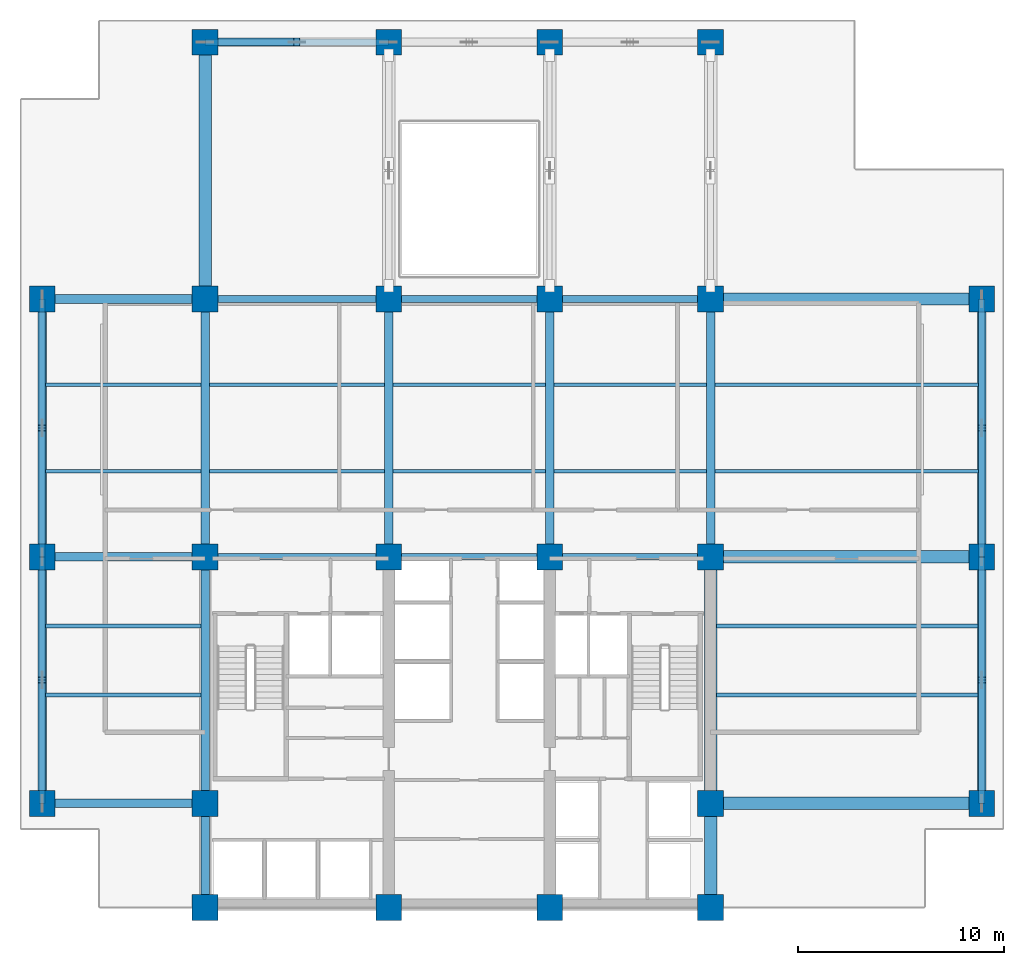
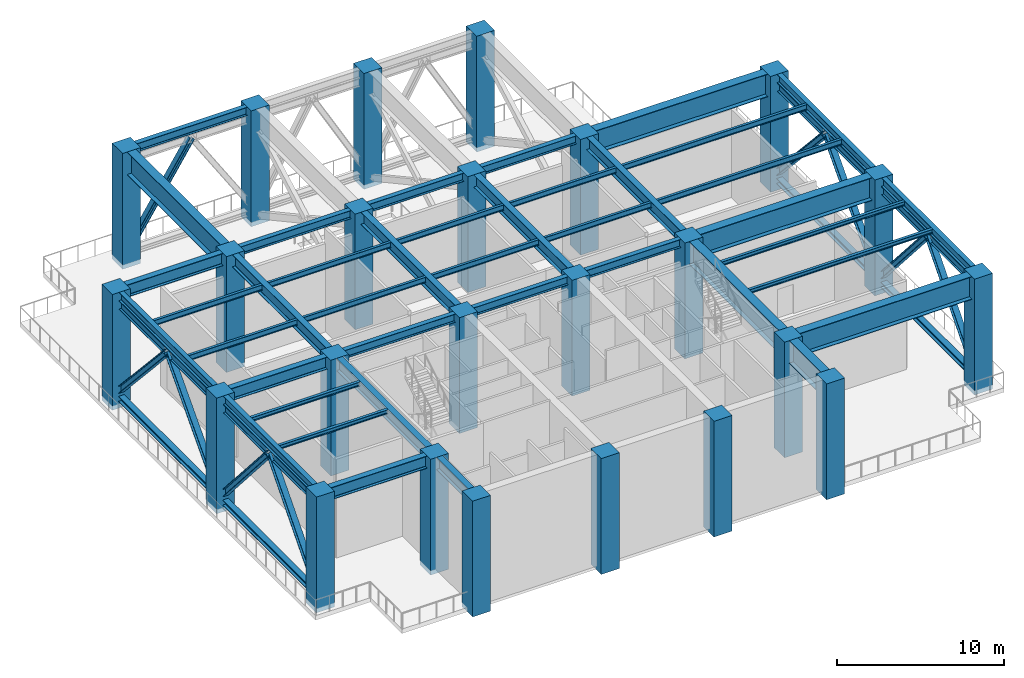
# One storey, part 1 of 7: 40 beams, 24 columns, 17 members.
"""IFC4 building model written with IfcOpenShell, lengths in metres."""

from ifc_helpers import new_model, si_unit, direction, frame, origin, origin_2d, place, context, subcontext, project, spatial, rectangle, i_section, extrude, material, material_profile, profile_set, type_object, element, save


model = new_model("IFC4")

# Units and contexts
model_context = context("Model", 3, precision=1e-05, world=origin(), true_north=direction((0.0, 1.0)))
body_context = subcontext(model_context, "Body", "Model", "MODEL_VIEW")
ifc_project = project(units=[si_unit("LENGTHUNIT", "METRE"), si_unit("AREAUNIT", "SQUARE_METRE"), si_unit("VOLUMEUNIT", "CUBIC_METRE"), si_unit("PLANEANGLEUNIT", "RADIAN"), si_unit("MASSUNIT", "GRAM", prefix="KILO")], contexts=[model_context])

# Site, building, storey
site_placement = place(None, origin())
site = spatial("IfcSite", under=ifc_project, at=site_placement, CompositionType="ELEMENT")
building_placement = place(site_placement, origin())
building = spatial("IfcBuilding", under=site, at=building_placement, Name="Qalmaran Belvedere Hotel", CompositionType="ELEMENT")
storey_placement = place(building_placement, frame((0.0, 0.0, 130.199951171875)))
storey = spatial("IfcBuildingStorey", under=building, at=storey_placement, Name="L33", CompositionType="ELEMENT", Elevation=130.199951171875)

# Columns
ifc_material_1 = material(Name="Concrete C60/75", Category="concrete")
ifc_material_profile_1 = material_profile(ifc_material_1, rectangle(XDim=1.25, YDim=1.25, at=origin_2d()), Name="CC1250X1250")
ifc_profile_set_1 = profile_set([ifc_material_profile_1], Name="Concrete C60/75")
column_type = type_object("IfcColumnType", Name="COL-Z2-CC1250", PredefinedType="COLUMN", material=ifc_profile_set_1)
for number, where, z_axis, x_axis, name in (
    (1, (20.300048828125, 3.5, -0.320068359375), (0.0, 0.0, 1.0), (1.0, 0.0, 0.0), "L33 Column C4B"),
    (2, (29.199951171875, 3.5, -0.320068359375), (0.0, 0.0, 1.0), (1.0, 0.0, 0.0), "L33 Column C5B"),
    (3, (37.0, 3.5, -0.320068359375), (0.0, 0.0, 1.0), (1.0, 0.0, 0.0), "L33 Column C6B"),
    (4, (44.800048828125, 3.5, -0.320068359375), (0.0, 0.0, 1.0), (1.0, 0.0, 0.0), "L33 Column C7B"),
    (5, (20.300048828125, 8.550048828125, -0.320068359375), (0.0, 0.0, 1.0), (1.0, 0.0, 0.0), "L33 Column C4C"),
    (6, (44.800048828125, 8.550048828125, -0.320068359375), (0.0, 0.0, 1.0), (1.0, 0.0, 0.0), "L33 Column C7C"),
    (7, (20.300048828125, 20.5, -0.320068359375), (0.0, 0.0, 1.0), (1.0, 0.0, 0.0), "L33 Column C4D"),
    (8, (29.199951171875, 20.5, -0.320068359375), (0.0, 0.0, 1.0), (1.0, 0.0, 0.0), "L33 Column C5D"),
    (9, (37.0, 20.5, -0.320068359375), (0.0, 0.0, 1.0), (1.0, 0.0, 0.0), "L33 Column C6D"),
    (10, (44.800048828125, 20.5, -0.320068359375), (0.0, 0.0, 1.0), (1.0, 0.0, 0.0), "L33 Column C7D"),
    (11, (20.300048828125, 33.0, -0.320068359375), (0.0, 0.0, 1.0), (1.0, 0.0, 0.0), "L33 Column C4F"),
    (12, (29.199951171875, 33.0, -0.320068359375), (0.0, 0.0, 1.0), (1.0, 0.0, 0.0), "L33 Column C5F"),
    (13, (37.0, 33.0, -0.320068359375), (0.0, 0.0, 1.0), (1.0, 0.0, 0.0), "L33 Column C6F"),
    (14, (44.800048828125, 33.0, -0.320068359375), (0.0, 0.0, 1.0), (1.0, 0.0, 0.0), "L33 Column C7F"),
    (15, (12.39990234375, 8.550048828125, -0.320068359375), (0.0, 0.0, 1.0), (1.0, 0.0, 0.0), "L33 Column CW1"),
    (16, (12.39990234375, 20.5, -0.320068359375), (0.0, 0.0, 1.0), (1.0, 0.0, 0.0), "L33 Column CW3"),
    (17, (12.39990234375, 33.0, -0.320068359375), (0.0, 0.0, 1.0), (1.0, 0.0, 0.0), "L33 Column CW4"),
    (18, (57.949951171875, 8.550048828125, -0.320068359375), (0.0, 0.0, 1.0), (1.0, 0.0, 0.0), "L33 Column CE1"),
    (19, (57.949951171875, 20.5, -0.320068359375), (0.0, 0.0, 1.0), (1.0, 0.0, 0.0), "L33 Column CE3"),
    (20, (57.949951171875, 33.0, -0.320068359375), (0.0, 0.0, 1.0), (1.0, 0.0, 0.0), "L33 Column CE4"),
    (21, (20.300048828125, 45.449951171875, -0.320068359375), (0.0, 0.0, 1.0), (1.0, 0.0, 0.0), "L33 Column CN1"),
    (22, (29.199951171875, 45.449951171875, -0.320068359375), (0.0, 0.0, 1.0), (1.0, 0.0, 0.0), "L33 Column CN2"),
    (23, (37.0, 45.449951171875, -0.320068359375), (0.0, 0.0, 1.0), (1.0, 0.0, 0.0), "L33 Column CN3"),
    (24, (44.800048828125, 45.449951171875, -0.320068359375), (0.0, 0.0, 1.0), (1.0, 0.0, 0.0), "L33 Column CN4"),
):
    element("IfcColumn", number, at=place(storey_placement, frame(where, z_axis=z_axis, x_axis=x_axis)), inside=storey, type_object=column_type, Name=name, PredefinedType="COLUMN", context=body_context, shape_type="SweptSolid", body=[
        extrude(rectangle(XDim=1.25, YDim=1.25, at=origin_2d()), origin(), (0.0, 0.0, 1.0), 8.47021484375),
    ])

# Beams
ifc_material_2 = material(Name="Steel S355JR", Category="steel")
ifc_material_profile_2 = material_profile(ifc_material_2, i_section(OverallWidth=0.202880859375, OverallDepth=0.302978515625, WebThickness=0.007568359375, FlangeThickness=0.01318359375, FilletRadius=0.012939453125, at=origin_2d()), Name="W310X60")
ifc_profile_set_2 = profile_set([ifc_material_profile_2], Name="Steel S355JR")
beam_type_1 = type_object("IfcBeamType", Name="BM-JST-W310X60", PredefinedType="JOIST", material=ifc_profile_set_2)
beam_1_placement = place(storey_placement, frame((12.5615234375, 13.800048828125, 7.99853515625), z_axis=(1.0, 0.0, 0.0), x_axis=(0.0, 1.0, 0.0)))
element("IfcBeam", 25, at=beam_1_placement, inside=storey, type_object=beam_type_1, Name="L33 West Wing Joist 038", PredefinedType="JOIST", context=body_context, shape_type="SweptSolid", body=[
    extrude(i_section(OverallWidth=0.202880859375, OverallDepth=0.302978515625, WebThickness=0.007568359375, FlangeThickness=0.01318359375, FilletRadius=0.012939453125, at=origin_2d()), origin(), (0.0, 0.0, 1.0), 7.531494140625),
])
beam_2_placement = place(storey_placement, frame((45.097900390625, 13.800048828125, 7.99853515625), z_axis=(1.0, 0.0, 0.0), x_axis=(0.0, 1.0, 0.0)))
element("IfcBeam", 26, at=beam_2_placement, inside=storey, type_object=beam_type_1, Name="L33 East Wing Joist 039", PredefinedType="JOIST", context=body_context, shape_type="SweptSolid", body=[
    extrude(i_section(OverallWidth=0.202880859375, OverallDepth=0.302978515625, WebThickness=0.007568359375, FlangeThickness=0.01318359375, FilletRadius=0.012939453125, at=origin_2d()), origin(), (0.0, 0.0, 1.0), 12.690673828125),
])
beam_3_placement = place(storey_placement, frame((12.5615234375, 17.14990234375, 7.99853515625), z_axis=(1.0, 0.0, 0.0), x_axis=(0.0, 1.0, 0.0)))
element("IfcBeam", 27, at=beam_3_placement, inside=storey, type_object=beam_type_1, Name="L33 West Wing Joist 040", PredefinedType="JOIST", context=body_context, shape_type="SweptSolid", body=[
    extrude(i_section(OverallWidth=0.202880859375, OverallDepth=0.302978515625, WebThickness=0.007568359375, FlangeThickness=0.01318359375, FilletRadius=0.012939453125, at=origin_2d()), origin(), (0.0, 0.0, 1.0), 7.531494140625),
])
beam_4_placement = place(storey_placement, frame((45.097900390625, 17.14990234375, 7.99853515625), z_axis=(1.0, 0.0, 0.0), x_axis=(0.0, 1.0, 0.0)))
element("IfcBeam", 28, at=beam_4_placement, inside=storey, type_object=beam_type_1, Name="L33 East Wing Joist 041", PredefinedType="JOIST", context=body_context, shape_type="SweptSolid", body=[
    extrude(i_section(OverallWidth=0.202880859375, OverallDepth=0.302978515625, WebThickness=0.007568359375, FlangeThickness=0.01318359375, FilletRadius=0.012939453125, at=origin_2d()), origin(), (0.0, 0.0, 1.0), 12.690673828125),
])
ifc_material_profile_3 = material_profile(ifc_material_2, i_section(OverallWidth=0.41796875, OverallDepth=0.912109375, WebThickness=0.019287109375, FlangeThickness=0.031982421875, FilletRadius=0.02392578125, at=origin_2d()), Name="W920X342")
ifc_profile_set_3 = profile_set([ifc_material_profile_3], Name="Steel S355JR")
beam_type_2 = type_object("IfcBeamType", Name="BM-PG2-W920X342", PredefinedType="USERDEFINED", material=ifc_profile_set_3)
for number, where, z_axis, x_axis, name in (
    (29, (20.300048828125, 20.5, 7.694091796875), (0.0, 1.0, 0.0), (-1.0, 0.0, 0.0), "L33 Mid-Plate N-S Girder 14"),
    (30, (29.199951171875, 20.5, 7.694091796875), (0.0, 1.0, 0.0), (-1.0, 0.0, 0.0), "L33 Mid-Plate N-S Girder 16"),
    (31, (37.0, 20.5, 7.694091796875), (0.0, 1.0, 0.0), (-1.0, 0.0, 0.0), "L33 Mid-Plate N-S Girder 18"),
    (32, (44.800048828125, 20.5, 7.694091796875), (0.0, 1.0, 0.0), (-1.0, 0.0, 0.0), "L33 Mid-Plate N-S Girder 20"),
):
    element("IfcBeam", number, at=place(storey_placement, frame(where, z_axis=z_axis, x_axis=x_axis)), inside=storey, type_object=beam_type_2, Name=name, ObjectType="GIRDER", PredefinedType="USERDEFINED", context=body_context, shape_type="SweptSolid", body=[
        extrude(i_section(OverallWidth=0.41796875, OverallDepth=0.912109375, WebThickness=0.019287109375, FlangeThickness=0.031982421875, FilletRadius=0.02392578125, at=origin_2d()), origin(), (0.0, 0.0, 1.0), 12.5),
    ])
for number, where, z_axis, x_axis, name in (
    (33, (12.39990234375, 8.550048828125, 7.694091796875), (1.0, 0.0, 0.0), (0.0, 1.0, 0.0), "L33 West Wing Girder 22"),
    (34, (12.39990234375, 20.5, 7.694091796875), (1.0, 0.0, 0.0), (0.0, 1.0, 0.0), "L33 West Wing Girder 23"),
    (35, (12.39990234375, 33.0, 7.694091796875), (1.0, 0.0, 0.0), (0.0, 1.0, 0.0), "L33 West Wing Girder 24"),
):
    element("IfcBeam", number, at=place(storey_placement, frame(where, z_axis=z_axis, x_axis=x_axis)), inside=storey, type_object=beam_type_2, Name=name, ObjectType="GIRDER", PredefinedType="USERDEFINED", context=body_context, shape_type="SweptSolid", body=[
        extrude(i_section(OverallWidth=0.41796875, OverallDepth=0.912109375, WebThickness=0.019287109375, FlangeThickness=0.031982421875, FilletRadius=0.02392578125, at=origin_2d()), origin(), (0.0, 0.0, 1.0), 7.900146484375),
    ])
beam_5_placement = place(storey_placement, frame((20.300048828125, 3.5, 7.694091796875), z_axis=(0.0, 1.0, 0.0), x_axis=(-1.0, 0.0, 0.0)))
element("IfcBeam", 36, at=beam_5_placement, inside=storey, type_object=beam_type_2, Name="L33 West Core Edge Girder A", ObjectType="GIRDER", PredefinedType="USERDEFINED", context=body_context, shape_type="SweptSolid", body=[
    extrude(i_section(OverallWidth=0.41796875, OverallDepth=0.912109375, WebThickness=0.019287109375, FlangeThickness=0.031982421875, FilletRadius=0.02392578125, at=origin_2d()), origin(), (0.0, 0.0, 1.0), 5.050048828125),
])
beam_6_placement = place(storey_placement, frame((20.300048828125, 8.550048828125, 7.694091796875), z_axis=(0.0, 1.0, 0.0), x_axis=(-1.0, 0.0, 0.0)))
element("IfcBeam", 37, at=beam_6_placement, inside=storey, type_object=beam_type_2, Name="L33 West Core Edge Girder B", ObjectType="GIRDER", PredefinedType="USERDEFINED", context=body_context, shape_type="SweptSolid", body=[
    extrude(i_section(OverallWidth=0.41796875, OverallDepth=0.912109375, WebThickness=0.019287109375, FlangeThickness=0.031982421875, FilletRadius=0.02392578125, at=origin_2d()), origin(), (0.0, 0.0, 1.0), 11.949951171875),
])
ifc_material_profile_4 = material_profile(ifc_material_2, i_section(OverallWidth=0.177978515625, OverallDepth=0.406982421875, WebThickness=0.0078125, FlangeThickness=0.0126953125, FilletRadius=0.014892578125, at=origin_2d()), Name="W410X60")
ifc_profile_set_4 = profile_set([ifc_material_profile_4], Name="Steel S355JR")
beam_type_3 = type_object("IfcBeamType", Name="BM-SB2-W410X60", PredefinedType="BEAM", material=ifc_profile_set_4)
beam_7_placement = place(storey_placement, frame((12.5615234375, 24.64990234375, 7.946533203125), z_axis=(1.0, 0.0, 0.0), x_axis=(0.0, 1.0, 0.0)))
element("IfcBeam", 38, at=beam_7_placement, inside=storey, type_object=beam_type_3, Name="L33 West Secondary Beam 028", PredefinedType="BEAM", context=body_context, shape_type="SweptSolid", body=[
    extrude(i_section(OverallWidth=0.177978515625, OverallDepth=0.406982421875, WebThickness=0.0078125, FlangeThickness=0.0126953125, FilletRadius=0.014892578125, at=origin_2d()), origin(), (0.0, 0.0, 1.0), 7.531494140625),
])
beam_8_placement = place(storey_placement, frame((20.507080078125, 24.64990234375, 7.946533203125), z_axis=(1.0, 0.0, 0.0), x_axis=(0.0, 1.0, 0.0)))
element("IfcBeam", 39, at=beam_8_placement, inside=storey, type_object=beam_type_3, Name="L33 Secondary Floor Beam 029", PredefinedType="BEAM", context=body_context, shape_type="SweptSolid", body=[
    extrude(i_section(OverallWidth=0.177978515625, OverallDepth=0.406982421875, WebThickness=0.0078125, FlangeThickness=0.0126953125, FilletRadius=0.014892578125, at=origin_2d()), origin(), (0.0, 0.0, 1.0), 8.48583984375),
])
for number, where, z_axis, x_axis, name in (
    (40, (29.406982421875, 24.64990234375, 7.946533203125), (1.0, 0.0, 0.0), (0.0, 1.0, 0.0), "L33 Secondary Floor Beam 030"),
    (41, (37.20703125, 24.64990234375, 7.946533203125), (1.0, 0.0, 0.0), (0.0, 1.0, 0.0), "L33 Secondary Floor Beam 031"),
):
    element("IfcBeam", number, at=place(storey_placement, frame(where, z_axis=z_axis, x_axis=x_axis)), inside=storey, type_object=beam_type_3, Name=name, PredefinedType="BEAM", context=body_context, shape_type="SweptSolid", body=[
        extrude(i_section(OverallWidth=0.177978515625, OverallDepth=0.406982421875, WebThickness=0.0078125, FlangeThickness=0.0126953125, FilletRadius=0.014892578125, at=origin_2d()), origin(), (0.0, 0.0, 1.0), 7.385986328125),
    ])
beam_9_placement = place(storey_placement, frame((45.007080078125, 24.64990234375, 7.946533203125), z_axis=(1.0, 0.0, 0.0), x_axis=(0.0, 1.0, 0.0)))
element("IfcBeam", 42, at=beam_9_placement, inside=storey, type_object=beam_type_3, Name="L33 East Secondary Beam 032", PredefinedType="BEAM", context=body_context, shape_type="SweptSolid", body=[
    extrude(i_section(OverallWidth=0.177978515625, OverallDepth=0.406982421875, WebThickness=0.0078125, FlangeThickness=0.0126953125, FilletRadius=0.014892578125, at=origin_2d()), origin(), (0.0, 0.0, 1.0), 12.781494140625),
])
beam_10_placement = place(storey_placement, frame((12.5615234375, 28.85009765625, 7.946533203125), z_axis=(1.0, 0.0, 0.0), x_axis=(0.0, 1.0, 0.0)))
element("IfcBeam", 43, at=beam_10_placement, inside=storey, type_object=beam_type_3, Name="L33 West Secondary Beam 033", PredefinedType="BEAM", context=body_context, shape_type="SweptSolid", body=[
    extrude(i_section(OverallWidth=0.177978515625, OverallDepth=0.406982421875, WebThickness=0.0078125, FlangeThickness=0.0126953125, FilletRadius=0.014892578125, at=origin_2d()), origin(), (0.0, 0.0, 1.0), 7.531494140625),
])
beam_11_placement = place(storey_placement, frame((20.507080078125, 28.85009765625, 7.946533203125), z_axis=(1.0, 0.0, 0.0), x_axis=(0.0, 1.0, 0.0)))
element("IfcBeam", 44, at=beam_11_placement, inside=storey, type_object=beam_type_3, Name="L33 Secondary Floor Beam 034", PredefinedType="BEAM", context=body_context, shape_type="SweptSolid", body=[
    extrude(i_section(OverallWidth=0.177978515625, OverallDepth=0.406982421875, WebThickness=0.0078125, FlangeThickness=0.0126953125, FilletRadius=0.014892578125, at=origin_2d()), origin(), (0.0, 0.0, 1.0), 8.48583984375),
])
for number, where, z_axis, x_axis, name in (
    (45, (29.406982421875, 28.85009765625, 7.946533203125), (1.0, 0.0, 0.0), (0.0, 1.0, 0.0), "L33 Secondary Floor Beam 035"),
    (46, (37.20703125, 28.85009765625, 7.946533203125), (1.0, 0.0, 0.0), (0.0, 1.0, 0.0), "L33 Secondary Floor Beam 036"),
):
    element("IfcBeam", number, at=place(storey_placement, frame(where, z_axis=z_axis, x_axis=x_axis)), inside=storey, type_object=beam_type_3, Name=name, PredefinedType="BEAM", context=body_context, shape_type="SweptSolid", body=[
        extrude(i_section(OverallWidth=0.177978515625, OverallDepth=0.406982421875, WebThickness=0.0078125, FlangeThickness=0.0126953125, FilletRadius=0.014892578125, at=origin_2d()), origin(), (0.0, 0.0, 1.0), 7.385986328125),
    ])
beam_12_placement = place(storey_placement, frame((45.007080078125, 28.85009765625, 7.946533203125), z_axis=(1.0, 0.0, 0.0), x_axis=(0.0, 1.0, 0.0)))
element("IfcBeam", 47, at=beam_12_placement, inside=storey, type_object=beam_type_3, Name="L33 East Secondary Beam 037", PredefinedType="BEAM", context=body_context, shape_type="SweptSolid", body=[
    extrude(i_section(OverallWidth=0.177978515625, OverallDepth=0.406982421875, WebThickness=0.0078125, FlangeThickness=0.0126953125, FilletRadius=0.014892578125, at=origin_2d()), origin(), (0.0, 0.0, 1.0), 12.781494140625),
])
ifc_material_profile_5 = material_profile(ifc_material_2, i_section(OverallWidth=0.326904296875, OverallDepth=0.6220703125, WebThickness=0.015380859375, FlangeThickness=0.0244140625, FilletRadius=0.02001953125, at=origin_2d()), Name="W610X195")
ifc_profile_set_5 = profile_set([ifc_material_profile_5], Name="Steel S355JR")
beam_type_4 = type_object("IfcBeamType", Name="BM-SP1-W610X195", PredefinedType="SPANDREL", material=ifc_profile_set_5)
beam_13_placement = place(storey_placement, frame((12.39990234375, 8.550048828125, 7.839111328125), z_axis=(0.0, 1.0, 0.0), x_axis=(-1.0, 0.0, 0.0)))
element("IfcBeam", 48, at=beam_13_placement, inside=storey, type_object=beam_type_4, Name="L33 Perimeter Spandrel 01", PredefinedType="SPANDREL", context=body_context, shape_type="SweptSolid", body=[
    extrude(i_section(OverallWidth=0.326904296875, OverallDepth=0.6220703125, WebThickness=0.015380859375, FlangeThickness=0.0244140625, FilletRadius=0.02001953125, at=origin_2d()), origin(), (0.0, 0.0, 1.0), 11.949951171875),
])
beam_14_placement = place(storey_placement, frame((12.39990234375, 20.5, 7.839111328125), z_axis=(0.0, 1.0, 0.0), x_axis=(-1.0, 0.0, 0.0)))
element("IfcBeam", 49, at=beam_14_placement, inside=storey, type_object=beam_type_4, Name="L33 Perimeter Spandrel 02", PredefinedType="SPANDREL", context=body_context, shape_type="SweptSolid", body=[
    extrude(i_section(OverallWidth=0.326904296875, OverallDepth=0.6220703125, WebThickness=0.015380859375, FlangeThickness=0.0244140625, FilletRadius=0.02001953125, at=origin_2d()), origin(), (0.0, 0.0, 1.0), 12.5),
])
beam_15_placement = place(storey_placement, frame((57.949951171875, 8.550048828125, 7.839111328125), z_axis=(0.0, 1.0, 0.0), x_axis=(-1.0, 0.0, 0.0)))
element("IfcBeam", 50, at=beam_15_placement, inside=storey, type_object=beam_type_4, Name="L33 Perimeter Spandrel 03", PredefinedType="SPANDREL", context=body_context, shape_type="SweptSolid", body=[
    extrude(i_section(OverallWidth=0.326904296875, OverallDepth=0.6220703125, WebThickness=0.015380859375, FlangeThickness=0.0244140625, FilletRadius=0.02001953125, at=origin_2d()), origin(), (0.0, 0.0, 1.0), 11.949951171875),
])
beam_16_placement = place(storey_placement, frame((57.949951171875, 20.5, 7.839111328125), z_axis=(0.0, 1.0, 0.0), x_axis=(-1.0, 0.0, 0.0)))
element("IfcBeam", 51, at=beam_16_placement, inside=storey, type_object=beam_type_4, Name="L33 Perimeter Spandrel 04", PredefinedType="SPANDREL", context=body_context, shape_type="SweptSolid", body=[
    extrude(i_section(OverallWidth=0.326904296875, OverallDepth=0.6220703125, WebThickness=0.015380859375, FlangeThickness=0.0244140625, FilletRadius=0.02001953125, at=origin_2d()), origin(), (0.0, 0.0, 1.0), 12.5),
])
beam_17_placement = place(storey_placement, frame((20.300048828125, 45.449951171875, 7.839111328125), z_axis=(1.0, 0.0, 0.0), x_axis=(0.0, 1.0, 0.0)))
element("IfcBeam", 52, at=beam_17_placement, inside=storey, type_object=beam_type_4, Name="L33 Perimeter Spandrel 05", PredefinedType="SPANDREL", context=body_context, shape_type="SweptSolid", body=[
    extrude(i_section(OverallWidth=0.326904296875, OverallDepth=0.6220703125, WebThickness=0.015380859375, FlangeThickness=0.0244140625, FilletRadius=0.02001953125, at=origin_2d()), origin(), (0.0, 0.0, 1.0), 8.89990234375),
])
ifc_material_profile_6 = material_profile(ifc_material_2, i_section(OverallWidth=0.60009765625, OverallDepth=1.679931640625, WebThickness=0.02587890625, FlangeThickness=0.035888671875, at=origin_2d()), Name="PG1680X600X36")
ifc_profile_set_6 = profile_set([ifc_material_profile_6], Name="Steel S355JR")
beam_type_5 = type_object("IfcBeamType", Name="BM-TG5-PG1680X600", PredefinedType="USERDEFINED", material=ifc_profile_set_6)
beam_18_placement = place(storey_placement, frame((20.300048828125, 33.0, 7.31005859375), z_axis=(0.0, 1.0, 0.0), x_axis=(-1.0, 0.0, 0.0)))
element("IfcBeam", 53, at=beam_18_placement, inside=storey, type_object=beam_type_5, Name="L33 North Bay Setback Transfer Girder 15", ObjectType="GIRDER", PredefinedType="USERDEFINED", context=body_context, shape_type="SweptSolid", body=[
    extrude(i_section(OverallWidth=0.60009765625, OverallDepth=1.679931640625, WebThickness=0.02587890625, FlangeThickness=0.035888671875, at=origin_2d()), origin(), (0.0, 0.0, 1.0), 12.449951171875),
])
beam_19_placement = place(storey_placement, frame((44.800048828125, 3.5, 7.31005859375), z_axis=(0.0, 1.0, 0.0), x_axis=(-1.0, 0.0, 0.0)))
element("IfcBeam", 54, at=beam_19_placement, inside=storey, type_object=beam_type_5, Name="L33 East Core Edge Girder A", ObjectType="GIRDER", PredefinedType="USERDEFINED", context=body_context, shape_type="SweptSolid", body=[
    extrude(i_section(OverallWidth=0.60009765625, OverallDepth=1.679931640625, WebThickness=0.02587890625, FlangeThickness=0.035888671875, at=origin_2d()), origin(), (0.0, 0.0, 1.0), 5.050048828125),
])
beam_20_placement = place(storey_placement, frame((44.800048828125, 8.550048828125, 7.31005859375), z_axis=(0.0, 1.0, 0.0), x_axis=(-1.0, 0.0, 0.0)))
element("IfcBeam", 55, at=beam_20_placement, inside=storey, type_object=beam_type_5, Name="L33 East Core Edge Girder B", ObjectType="GIRDER", PredefinedType="USERDEFINED", context=body_context, shape_type="SweptSolid", body=[
    extrude(i_section(OverallWidth=0.60009765625, OverallDepth=1.679931640625, WebThickness=0.02587890625, FlangeThickness=0.035888671875, at=origin_2d()), origin(), (0.0, 0.0, 1.0), 11.949951171875),
])
for number, where, z_axis, x_axis, name in (
    (56, (44.800048828125, 8.550048828125, 7.31005859375), (1.0, 0.0, 0.0), (0.0, 1.0, 0.0), "L33 East Wing Setback Transfer Girder 25"),
    (57, (44.800048828125, 20.5, 7.31005859375), (1.0, 0.0, 0.0), (0.0, 1.0, 0.0), "L33 East Wing Setback Transfer Girder 26"),
    (58, (44.800048828125, 33.0, 7.31005859375), (1.0, 0.0, 0.0), (0.0, 1.0, 0.0), "L33 East Wing Setback Transfer Girder 27"),
):
    element("IfcBeam", number, at=place(storey_placement, frame(where, z_axis=z_axis, x_axis=x_axis)), inside=storey, type_object=beam_type_5, Name=name, ObjectType="GIRDER", PredefinedType="USERDEFINED", context=body_context, shape_type="SweptSolid", body=[
        extrude(i_section(OverallWidth=0.60009765625, OverallDepth=1.679931640625, WebThickness=0.02587890625, FlangeThickness=0.035888671875, at=origin_2d()), origin(), (0.0, 0.0, 1.0), 13.14990234375),
    ])
ifc_material_profile_7 = material_profile(ifc_material_2, i_section(OverallWidth=0.323974609375, OverallDepth=0.611083984375, WebThickness=0.0126953125, FlangeThickness=0.01904296875, FilletRadius=0.02001953125, at=origin_2d()), Name="W610X155")
ifc_profile_set_7 = profile_set([ifc_material_profile_7], Name="Steel S355JR")
beam_type_6 = type_object("IfcBeamType", Name="BM-Z2-W610X155", PredefinedType="USERDEFINED", material=ifc_profile_set_7)
beam_21_placement = place(storey_placement, frame((20.300048828125, 20.5, 7.844482421875), z_axis=(1.0, 0.0, 0.0), x_axis=(0.0, 1.0, 0.0)))
element("IfcBeam", 59, at=beam_21_placement, inside=storey, type_object=beam_type_6, Name="L33 Interior E-W Girder 08", ObjectType="GIRDER", PredefinedType="USERDEFINED", context=body_context, shape_type="SweptSolid", body=[
    extrude(i_section(OverallWidth=0.323974609375, OverallDepth=0.611083984375, WebThickness=0.0126953125, FlangeThickness=0.01904296875, FilletRadius=0.02001953125, at=origin_2d()), origin(), (0.0, 0.0, 1.0), 8.89990234375),
])
for number, where, z_axis, x_axis, name in (
    (60, (29.199951171875, 20.5, 7.844482421875), (1.0, 0.0, 0.0), (0.0, 1.0, 0.0), "L33 Interior E-W Girder 09"),
    (61, (37.0, 20.5, 7.844482421875), (1.0, 0.0, 0.0), (0.0, 1.0, 0.0), "L33 Interior E-W Girder 10"),
):
    element("IfcBeam", number, at=place(storey_placement, frame(where, z_axis=z_axis, x_axis=x_axis)), inside=storey, type_object=beam_type_6, Name=name, ObjectType="GIRDER", PredefinedType="USERDEFINED", context=body_context, shape_type="SweptSolid", body=[
        extrude(i_section(OverallWidth=0.323974609375, OverallDepth=0.611083984375, WebThickness=0.0126953125, FlangeThickness=0.01904296875, FilletRadius=0.02001953125, at=origin_2d()), origin(), (0.0, 0.0, 1.0), 7.800048828125),
    ])
beam_22_placement = place(storey_placement, frame((20.300048828125, 33.0, 7.844482421875), z_axis=(1.0, 0.0, 0.0), x_axis=(0.0, 1.0, 0.0)))
element("IfcBeam", 62, at=beam_22_placement, inside=storey, type_object=beam_type_6, Name="L33 Interior E-W Girder 11", ObjectType="GIRDER", PredefinedType="USERDEFINED", context=body_context, shape_type="SweptSolid", body=[
    extrude(i_section(OverallWidth=0.323974609375, OverallDepth=0.611083984375, WebThickness=0.0126953125, FlangeThickness=0.01904296875, FilletRadius=0.02001953125, at=origin_2d()), origin(), (0.0, 0.0, 1.0), 8.89990234375),
])
for number, where, z_axis, x_axis, name in (
    (63, (29.199951171875, 33.0, 7.844482421875), (1.0, 0.0, 0.0), (0.0, 1.0, 0.0), "L33 Interior E-W Girder 12"),
    (64, (37.0, 33.0, 7.844482421875), (1.0, 0.0, 0.0), (0.0, 1.0, 0.0), "L33 Interior E-W Girder 13"),
):
    element("IfcBeam", number, at=place(storey_placement, frame(where, z_axis=z_axis, x_axis=x_axis)), inside=storey, type_object=beam_type_6, Name=name, ObjectType="GIRDER", PredefinedType="USERDEFINED", context=body_context, shape_type="SweptSolid", body=[
        extrude(i_section(OverallWidth=0.323974609375, OverallDepth=0.611083984375, WebThickness=0.0126953125, FlangeThickness=0.01904296875, FilletRadius=0.02001953125, at=origin_2d()), origin(), (0.0, 0.0, 1.0), 7.800048828125),
    ])

# Members
ifc_material_profile_8 = material_profile(ifc_material_2, i_section(OverallWidth=0.39501953125, OverallDepth=0.3798828125, WebThickness=0.018798828125, FlangeThickness=0.0302734375, FilletRadius=0.014892578125, at=origin_2d()), Name="HD400X237")
ifc_profile_set_8 = profile_set([ifc_material_profile_8], Name="Steel S355JR")
member_type_1 = type_object("IfcMemberType", Name="MEM-BR2-HD400X237", PredefinedType="BRACE", material=ifc_profile_set_8)
for number, where, z_axis, x_axis, name in (
    (65, (12.39990234375, 8.550048828125, 0.35009765625), (0.0, 0.657334351717, 0.753599064525), (-1.0, 0.0, 0.0), "L33 Belt Truss Diagonal 01A"),
    (66, (12.39990234375, 20.5, 0.35009765625), (0.0, -0.657349605175, 0.753585759271), (1.0, 0.0, 0.0), "L33 Belt Truss Diagonal 01B"),
):
    element("IfcMember", number, at=place(storey_placement, frame(where, z_axis=z_axis, x_axis=x_axis)), inside=storey, type_object=member_type_1, Name=name, PredefinedType="BRACE", context=body_context, shape_type="SweptSolid", body=[
        extrude(i_section(OverallWidth=0.39501953125, OverallDepth=0.3798828125, WebThickness=0.018798828125, FlangeThickness=0.0302734375, FilletRadius=0.014892578125, at=origin_2d()), origin(), (0.0, 0.0, 1.0), 9.089599609375),
    ])
for number, where, z_axis, x_axis, name in (
    (67, (12.39990234375, 20.5, 0.35009765625), (0.0, 0.674021480923, 0.738711745713), (-1.0, 0.0, 0.0), "L33 Belt Truss Diagonal 02A"),
    (68, (12.39990234375, 33.0, 0.35009765625), (0.0, -0.674021480923, 0.738711745713), (1.0, 0.0, 0.0), "L33 Belt Truss Diagonal 02B"),
):
    element("IfcMember", number, at=place(storey_placement, frame(where, z_axis=z_axis, x_axis=x_axis)), inside=storey, type_object=member_type_1, Name=name, PredefinedType="BRACE", context=body_context, shape_type="SweptSolid", body=[
        extrude(i_section(OverallWidth=0.39501953125, OverallDepth=0.3798828125, WebThickness=0.018798828125, FlangeThickness=0.0302734375, FilletRadius=0.014892578125, at=origin_2d()), origin(), (0.0, 0.0, 1.0), 9.272705078125),
    ])
for number, where, z_axis, x_axis, name in (
    (69, (57.949951171875, 8.550048828125, 0.35009765625), (0.0, 0.657334351717, 0.753599064525), (-1.0, 0.0, 0.0), "L33 Belt Truss Diagonal 03A"),
    (70, (57.949951171875, 20.5, 0.35009765625), (0.0, -0.657349605175, 0.753585759271), (1.0, 0.0, 0.0), "L33 Belt Truss Diagonal 03B"),
):
    element("IfcMember", number, at=place(storey_placement, frame(where, z_axis=z_axis, x_axis=x_axis)), inside=storey, type_object=member_type_1, Name=name, PredefinedType="BRACE", context=body_context, shape_type="SweptSolid", body=[
        extrude(i_section(OverallWidth=0.39501953125, OverallDepth=0.3798828125, WebThickness=0.018798828125, FlangeThickness=0.0302734375, FilletRadius=0.014892578125, at=origin_2d()), origin(), (0.0, 0.0, 1.0), 9.089599609375),
    ])
for number, where, z_axis, x_axis, name in (
    (71, (57.949951171875, 20.5, 0.35009765625), (0.0, 0.674021480923, 0.738711745713), (-1.0, 0.0, 0.0), "L33 Belt Truss Diagonal 04A"),
    (72, (57.949951171875, 33.0, 0.35009765625), (0.0, -0.674021480923, 0.738711745713), (1.0, 0.0, 0.0), "L33 Belt Truss Diagonal 04B"),
):
    element("IfcMember", number, at=place(storey_placement, frame(where, z_axis=z_axis, x_axis=x_axis)), inside=storey, type_object=member_type_1, Name=name, PredefinedType="BRACE", context=body_context, shape_type="SweptSolid", body=[
        extrude(i_section(OverallWidth=0.39501953125, OverallDepth=0.3798828125, WebThickness=0.018798828125, FlangeThickness=0.0302734375, FilletRadius=0.014892578125, at=origin_2d()), origin(), (0.0, 0.0, 1.0), 9.272705078125),
    ])
member_1_placement = place(storey_placement, frame((20.300048828125, 45.449951171875, 0.35009765625), z_axis=(0.544777170472, 0.0, 0.838580845555), x_axis=(0.0, 1.0, 0.0)))
element("IfcMember", 73, at=member_1_placement, inside=storey, type_object=member_type_1, Name="L33 Belt Truss Diagonal 05A", PredefinedType="BRACE", context=body_context, shape_type="SweptSolid", body=[
    extrude(i_section(OverallWidth=0.39501953125, OverallDepth=0.3798828125, WebThickness=0.018798828125, FlangeThickness=0.0302734375, FilletRadius=0.014892578125, at=origin_2d()), origin(), (0.0, 0.0, 1.0), 8.16845703125),
])
ifc_material_profile_9 = material_profile(ifc_material_2, i_section(OverallWidth=0.40087890625, OverallDepth=0.39892578125, WebThickness=0.02490234375, FlangeThickness=0.03955078125, FilletRadius=0.014892578125, at=origin_2d()), Name="HD400X314")
ifc_profile_set_9 = profile_set([ifc_material_profile_9], Name="Steel S355JR")
member_type_2 = type_object("IfcMemberType", Name="MEM-CH1-HD400X314", PredefinedType="CHORD", material=ifc_profile_set_9)
member_2_placement = place(storey_placement, frame((12.39990234375, 8.550048828125, 0.35009765625), z_axis=(0.0, 1.0, 0.0), x_axis=(-1.0, 0.0, 0.0)))
element("IfcMember", 74, at=member_2_placement, inside=storey, type_object=member_type_2, Name="L33 Belt Truss Bottom Chord 01", PredefinedType="CHORD", context=body_context, shape_type="SweptSolid", body=[
    extrude(i_section(OverallWidth=0.40087890625, OverallDepth=0.39892578125, WebThickness=0.02490234375, FlangeThickness=0.03955078125, FilletRadius=0.014892578125, at=origin_2d()), origin(), (0.0, 0.0, 1.0), 11.949951171875),
])
member_3_placement = place(storey_placement, frame((12.39990234375, 20.5, 0.35009765625), z_axis=(0.0, 1.0, 0.0), x_axis=(-1.0, 0.0, 0.0)))
element("IfcMember", 75, at=member_3_placement, inside=storey, type_object=member_type_2, Name="L33 Belt Truss Bottom Chord 02", PredefinedType="CHORD", context=body_context, shape_type="SweptSolid", body=[
    extrude(i_section(OverallWidth=0.40087890625, OverallDepth=0.39892578125, WebThickness=0.02490234375, FlangeThickness=0.03955078125, FilletRadius=0.014892578125, at=origin_2d()), origin(), (0.0, 0.0, 1.0), 12.5),
])
member_4_placement = place(storey_placement, frame((57.949951171875, 8.550048828125, 0.35009765625), z_axis=(0.0, 1.0, 0.0), x_axis=(-1.0, 0.0, 0.0)))
element("IfcMember", 76, at=member_4_placement, inside=storey, type_object=member_type_2, Name="L33 Belt Truss Bottom Chord 03", PredefinedType="CHORD", context=body_context, shape_type="SweptSolid", body=[
    extrude(i_section(OverallWidth=0.40087890625, OverallDepth=0.39892578125, WebThickness=0.02490234375, FlangeThickness=0.03955078125, FilletRadius=0.014892578125, at=origin_2d()), origin(), (0.0, 0.0, 1.0), 11.949951171875),
])
member_5_placement = place(storey_placement, frame((57.949951171875, 20.5, 0.35009765625), z_axis=(0.0, 1.0, 0.0), x_axis=(-1.0, 0.0, 0.0)))
element("IfcMember", 77, at=member_5_placement, inside=storey, type_object=member_type_2, Name="L33 Belt Truss Bottom Chord 04", PredefinedType="CHORD", context=body_context, shape_type="SweptSolid", body=[
    extrude(i_section(OverallWidth=0.40087890625, OverallDepth=0.39892578125, WebThickness=0.02490234375, FlangeThickness=0.03955078125, FilletRadius=0.014892578125, at=origin_2d()), origin(), (0.0, 0.0, 1.0), 12.5),
])
ifc_material_profile_10 = material_profile(ifc_material_2, i_section(OverallWidth=0.300048828125, OverallDepth=0.60009765625, WebThickness=0.015380859375, FlangeThickness=0.028076171875, FilletRadius=0.027099609375, at=origin_2d()), Name="HEB600")
ifc_profile_set_10 = profile_set([ifc_material_profile_10], Name="Steel S355JR")
member_type_3 = type_object("IfcMemberType", Name="MEM-CH2-HEB600", PredefinedType="CHORD", material=ifc_profile_set_10)
member_6_placement = place(storey_placement, frame((12.39990234375, 8.550048828125, 7.199951171875), z_axis=(0.0, 1.0, 0.0), x_axis=(-1.0, 0.0, 0.0)))
element("IfcMember", 78, at=member_6_placement, inside=storey, type_object=member_type_3, Name="L33 Belt Truss Top Chord 01", PredefinedType="CHORD", context=body_context, shape_type="SweptSolid", body=[
    extrude(i_section(OverallWidth=0.300048828125, OverallDepth=0.60009765625, WebThickness=0.015380859375, FlangeThickness=0.028076171875, FilletRadius=0.027099609375, at=origin_2d()), origin(), (0.0, 0.0, 1.0), 11.949951171875),
])
member_7_placement = place(storey_placement, frame((12.39990234375, 20.5, 7.199951171875), z_axis=(0.0, 1.0, 0.0), x_axis=(-1.0, 0.0, 0.0)))
element("IfcMember", 79, at=member_7_placement, inside=storey, type_object=member_type_3, Name="L33 Belt Truss Top Chord 02", PredefinedType="CHORD", context=body_context, shape_type="SweptSolid", body=[
    extrude(i_section(OverallWidth=0.300048828125, OverallDepth=0.60009765625, WebThickness=0.015380859375, FlangeThickness=0.028076171875, FilletRadius=0.027099609375, at=origin_2d()), origin(), (0.0, 0.0, 1.0), 12.5),
])
member_8_placement = place(storey_placement, frame((57.949951171875, 8.550048828125, 7.199951171875), z_axis=(0.0, 1.0, 0.0), x_axis=(-1.0, 0.0, 0.0)))
element("IfcMember", 80, at=member_8_placement, inside=storey, type_object=member_type_3, Name="L33 Belt Truss Top Chord 03", PredefinedType="CHORD", context=body_context, shape_type="SweptSolid", body=[
    extrude(i_section(OverallWidth=0.300048828125, OverallDepth=0.60009765625, WebThickness=0.015380859375, FlangeThickness=0.028076171875, FilletRadius=0.027099609375, at=origin_2d()), origin(), (0.0, 0.0, 1.0), 11.949951171875),
])
member_9_placement = place(storey_placement, frame((57.949951171875, 20.5, 7.199951171875), z_axis=(0.0, 1.0, 0.0), x_axis=(-1.0, 0.0, 0.0)))
element("IfcMember", 81, at=member_9_placement, inside=storey, type_object=member_type_3, Name="L33 Belt Truss Top Chord 04", PredefinedType="CHORD", context=body_context, shape_type="SweptSolid", body=[
    extrude(i_section(OverallWidth=0.300048828125, OverallDepth=0.60009765625, WebThickness=0.015380859375, FlangeThickness=0.028076171875, FilletRadius=0.027099609375, at=origin_2d()), origin(), (0.0, 0.0, 1.0), 12.5),
])

save(model, "model.ifc")
